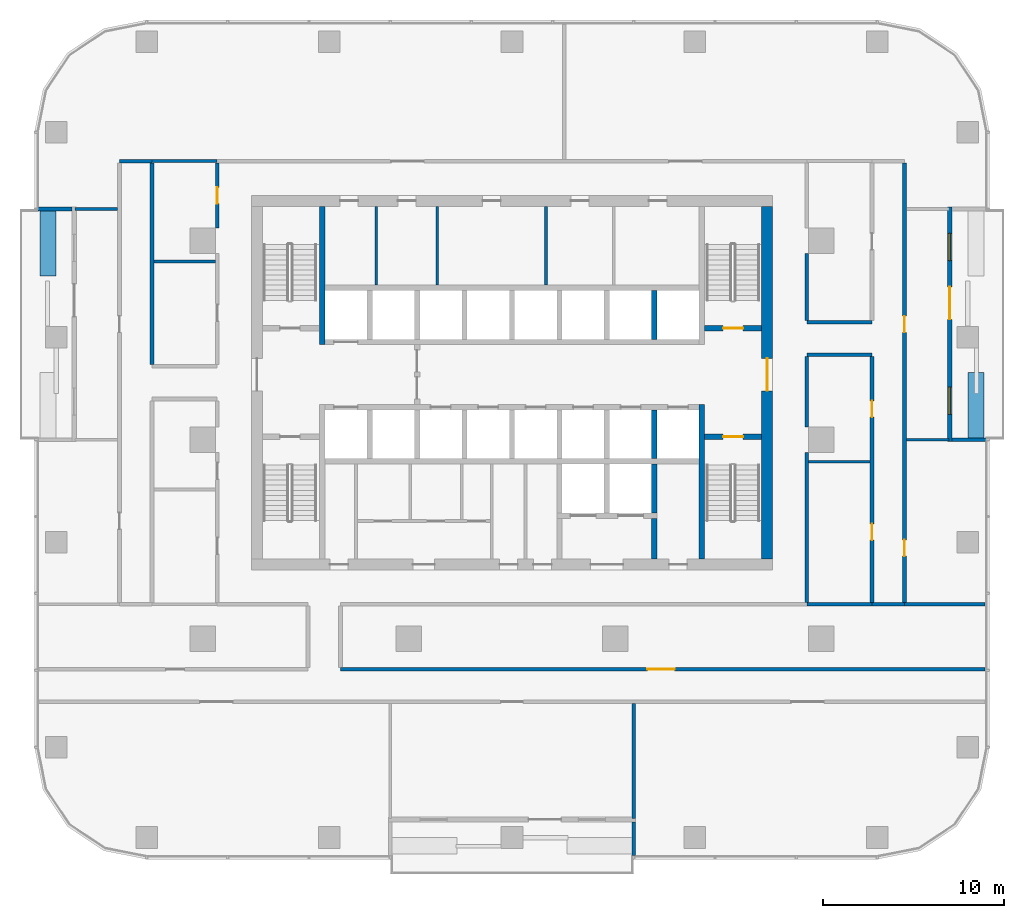
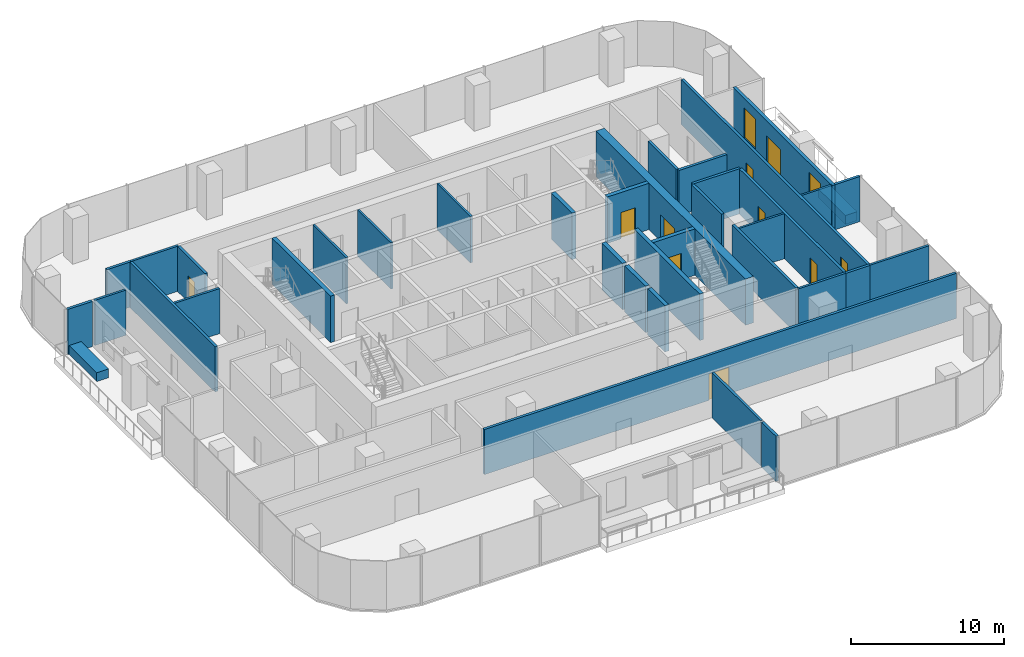
# One storey, part 9 of 14: 38 walls, 10 doors, 2 windows, 12 openings.
"""IFC4 building model written with IfcOpenShell, lengths in metres."""

import ifcopenshell
import ifcopenshell.guid

model = None  # the IFC model being written
_history = None  # IfcOwnerHistory: only IFC2X3 demands one
_inside = {}  # id of a spatial element -> (the spatial element, [elements in it])
_under = {}  # id of a project, library or spatial element -> (it, [spatial elements below it])
_declared = {}  # id of a project -> (the project, [libraries it declares])
_typed = {}  # id of a type object -> (the type object, [elements of that type])
_made_of = {}  # id of a material, layer set ... -> (it, [elements and type objects made of it])


def new_model(schema):
    """Start an empty IFC model of exactly this schema.

    Asked for "IFC4X3", IfcOpenShell would pick the latest addendum, in which some entities
    have other attributes; the version numbers below select the first issue.
    IFC2X3 requires an IfcOwnerHistory on every rooted entity: one is made here for all.
    """
    global model, _history
    if schema == "IFC4X3":
        model = ifcopenshell.file(schema_version=(4, 3, 0, 0))
    else:
        model = ifcopenshell.file(schema=schema)
    _inside.clear()
    _under.clear()
    _declared.clear()
    _typed.clear()
    _made_of.clear()
    _history = None
    if model.schema == "IFC2X3":
        org = make("IfcOrganization", Name="unknown")
        user = make(
            "IfcPersonAndOrganization",
            ThePerson=make("IfcPerson", FamilyName="unknown"),
            TheOrganization=org,
        )
        app = make(
            "IfcApplication",
            ApplicationDeveloper=org,
            Version="unknown",
            ApplicationFullName="unknown",
            ApplicationIdentifier="unknown",
        )
        _history = make(
            "IfcOwnerHistory",
            OwningUser=user,
            OwningApplication=app,
            ChangeAction="ADDED",
            CreationDate=0,
        )
    return model


def make(cls, **values):
    """One entity of the class cls with the attributes given. An attribute that is None is left unset."""
    return model.create_entity(
        cls, **{name: value for name, value in values.items() if value is not None}
    )


def rooted(cls, **values):
    """An entity with a GlobalId (a new one), such as an element, a storey or a relation."""
    return make(cls, GlobalId=ifcopenshell.guid.new(), OwnerHistory=_history, **values)


def si_unit(unit_type, name, prefix=None):
    """IfcSIUnit, for example si_unit("LENGTHUNIT", "METRE", prefix="MILLI")."""
    return make("IfcSIUnit", UnitType=unit_type, Prefix=prefix, Name=name)


def assignment(units):
    """IfcUnitAssignment: the units of a project."""
    return None if units is None else make("IfcUnitAssignment", Units=units)


def point(xyz):
    """IfcCartesianPoint."""
    return None if xyz is None else make("IfcCartesianPoint", Coordinates=xyz)


def direction(xyz):
    """IfcDirection."""
    return None if xyz is None else make("IfcDirection", DirectionRatios=xyz)


def frame(location, z_axis=None, x_axis=None):
    """IfcAxis2Placement3D, a coordinate frame: its origin and axes. An axis left out is left unset."""
    return make(
        "IfcAxis2Placement3D",
        Location=point(location),
        Axis=direction(z_axis),
        RefDirection=direction(x_axis),
    )


def frame_2d(location, x_axis=None):
    """IfcAxis2Placement2D, a coordinate frame in the plane: its origin and x axis."""
    return make(
        "IfcAxis2Placement2D", Location=point(location), RefDirection=direction(x_axis)
    )


def origin():
    """The frame at (0, 0, 0) with its axes left unset."""
    return frame((0.0, 0.0, 0.0))


def place(relative_to, where):
    """IfcLocalPlacement: puts the frame where relative to a parent placement (None: the world)."""
    return make(
        "IfcLocalPlacement", PlacementRelTo=relative_to, RelativePlacement=where
    )


def context(
    kind, dimensions, precision=None, world=None, true_north=None, identifier=None
):
    """IfcGeometricRepresentationContext, for example the 3D "Model" context."""
    return make(
        "IfcGeometricRepresentationContext",
        ContextIdentifier=identifier,
        ContextType=kind,
        CoordinateSpaceDimension=dimensions,
        Precision=precision,
        WorldCoordinateSystem=world,
        TrueNorth=true_north,
    )


def subcontext(parent, identifier, kind, view, scale=None):
    """IfcGeometricRepresentationSubContext, for example "Body" below "Model"."""
    return make(
        "IfcGeometricRepresentationSubContext",
        ContextIdentifier=identifier,
        ContextType=kind,
        ParentContext=parent,
        TargetScale=scale,
        TargetView=view,
    )


def project(units=None, contexts=None):
    """IfcProject with its units and contexts."""
    return rooted(
        "IfcProject",
        Name="project",
        RepresentationContexts=contexts,
        UnitsInContext=assignment(units),
    )


def spatial(cls, under=None, at=None, **own):
    """A site, building, storey or space (cls), placed at a placement, below another one or the project."""
    s = rooted(cls, ObjectPlacement=at, **own)
    if under is not None:
        _under.setdefault(under.id(), (under, []))[1].append(s)
    return s


def profile(cls, at=None, kind="AREA", **sizes):
    """A parametric profile (cls). Its sizes go by their IFC names, for example OverallWidth=200.0."""
    return make(cls, ProfileType=kind, Position=at, **sizes)


def rectangle(**sizes):
    """IfcRectangleProfileDef."""
    return profile("IfcRectangleProfileDef", **sizes)


def extrude(swept, where, along, depth):
    """IfcExtrudedAreaSolid: the profile swept, set in the frame where, extruded along a direction by depth."""
    return make(
        "IfcExtrudedAreaSolid",
        SweptArea=swept,
        Position=where,
        ExtrudedDirection=direction(along),
        Depth=depth,
    )


def shape(context_of_items, identifier, shape_type, items):
    """IfcShapeRepresentation: the items that make up one representation, for example the "Body"."""
    return make(
        "IfcShapeRepresentation",
        ContextOfItems=context_of_items,
        RepresentationIdentifier=identifier,
        RepresentationType=shape_type,
        Items=items,
    )


def material(Name=None, Category=None):
    """IfcMaterial."""
    return make("IfcMaterial", Name=Name, Category=Category)


def layer(
    of_material, thickness, ventilated=None, Name=None, Category=None, Priority=None
):
    """IfcMaterialLayer: one layer of a wall or slab, of a material (None: an air gap)."""
    return make(
        "IfcMaterialLayer",
        Material=of_material,
        LayerThickness=thickness,
        IsVentilated=ventilated,
        Name=Name,
        Category=Category,
        Priority=Priority,
    )


def layer_set(layers, Name=None):
    """IfcMaterialLayerSet."""
    return make("IfcMaterialLayerSet", MaterialLayers=layers, LayerSetName=Name)


def made_of(thing, what):
    """Note that an element or type object is made of a material, layer set ...; save() writes the relation."""
    if what is not None:
        _made_of.setdefault(what.id(), (what, []))[1].append(thing)
    return thing


def type_object(cls, material=None, **own):
    """A type object (cls), such as IfcWallType, which elements share."""
    return made_of(rooted(cls, **own), material)


def element(
    cls,
    number,
    at=None,
    inside=None,
    cuts=None,
    type_object=None,
    material=None,
    context=None,
    identifier="Body",
    shape_type=None,
    held_by="IfcProductDefinitionShape",
    body=None,
    shapes=None,
    **own,
):
    """One element of the class cls, such as IfcWall. Its Tag is "e" and its number.

    at: its placement. inside: the storey or other place that contains it. cuts: it is an
    opening in that element (IfcRelVoidsElement). A single representation is given by context,
    identifier, shape_type and body (its items); several are given by shapes. held_by: the class
    of the entity that holds the representations. save() writes the other relations.
    """
    e = rooted(cls, Tag="e%d" % number, ObjectPlacement=at, **own)
    if body is not None:
        shapes = [shape(context, identifier, shape_type, body)]
    if shapes is not None:
        e.Representation = make(held_by, Representations=shapes)
    if inside is not None:
        _inside.setdefault(inside.id(), (inside, []))[1].append(e)
    if cuts is not None:
        rooted(
            "IfcRelVoidsElement", RelatingBuildingElement=cuts, RelatedOpeningElement=e
        )
    if type_object is not None:
        _typed.setdefault(type_object.id(), (type_object, []))[1].append(e)
    return made_of(e, material)


def fill(opening, filler):
    """IfcRelFillsElement: the door or window that sits in an opening."""
    return rooted(
        "IfcRelFillsElement",
        RelatingOpeningElement=opening,
        RelatedBuildingElement=filler,
    )


def aggregate(whole, parts):
    """IfcRelAggregates: a whole, such as a stair, and the parts it consists of."""
    return rooted("IfcRelAggregates", RelatingObject=whole, RelatedObjects=parts)


def save(model, path):
    """Write the relations noted so far, then the file.

    IfcRelAggregates (storeys below a building ...), IfcRelContainedInSpatialStructure (elements
    in a storey), IfcRelDefinesByType, IfcRelAssociatesMaterial and IfcRelDeclares: one each for
    every whole, place, type object, material and project.
    """
    for whole, parts in _under.values():
        aggregate(whole, parts)
    for where, things in _inside.values():
        rooted(
            "IfcRelContainedInSpatialStructure",
            RelatedElements=things,
            RelatingStructure=where,
        )
    for kind, things in _typed.values():
        rooted("IfcRelDefinesByType", RelatedObjects=things, RelatingType=kind)
    for what, things in _made_of.values():
        rooted("IfcRelAssociatesMaterial", RelatedObjects=things, RelatingMaterial=what)
    for by, libraries in _declared.values():
        rooted("IfcRelDeclares", RelatingContext=by, RelatedDefinitions=libraries)
    model.write(path)


model = new_model("IFC4")

# Units and contexts
model_context = context("Model", 3, precision=1e-05, world=origin(), true_north=direction((0.0, 1.0)))
body_context = subcontext(model_context, "Body", "Model", "MODEL_VIEW")
ifc_project = project(units=[si_unit("LENGTHUNIT", "METRE"), si_unit("AREAUNIT", "SQUARE_METRE"), si_unit("VOLUMEUNIT", "CUBIC_METRE"), si_unit("PLANEANGLEUNIT", "RADIAN"), si_unit("MASSUNIT", "GRAM", prefix="KILO")], contexts=[model_context])

# Site, building, storey
site_placement = place(None, origin())
site = spatial("IfcSite", under=ifc_project, at=site_placement, CompositionType="ELEMENT")
building_placement = place(site_placement, origin())
building = spatial("IfcBuilding", under=site, at=building_placement, Name="Mopane Tessera Tower", CompositionType="ELEMENT")
storey_placement = place(building_placement, frame((0.0, 0.0, 161.0)))
storey = spatial("IfcBuildingStorey", under=building, at=storey_placement, Name="L32", CompositionType="ELEMENT", Elevation=161.0)

# Walls
ifc_material_1 = material(Name="Fire-rated gypsum board partition")
ifc_layer_1 = layer(ifc_material_1, 0.14990234375)
ifc_layer_set_1 = layer_set([ifc_layer_1], Name="Fire-rated gypsum board partition")
wall_type_1 = type_object("IfcWallType", Name="Core room partition 150 mm", PredefinedType="PARTITIONING", material=ifc_layer_set_1)
for number, where, z_axis, x_axis, name in (
    (1, (-7.5, 8.550048828125, 0.0), (0.0, 0.0, 1.0), (0.0, 1.0, 0.0), "L32 Room partition"),
    (2, (-4.125, 8.550048828125, 0.0), (0.0, 0.0, 1.0), (0.0, 1.0, 0.0), "L32 Room partition"),
    (3, (1.875, 8.550048828125, 0.0), (0.0, 0.0, 1.0), (0.0, 1.0, 0.0), "L32 Room partition"),
):
    element("IfcWall", number, at=place(storey_placement, frame(where, z_axis=z_axis, x_axis=x_axis)), inside=storey, type_object=wall_type_1, Name=name, PredefinedType="PARTITIONING", context=body_context, shape_type="SweptSolid", body=[
        extrude(rectangle(XDim=4.349853515625, YDim=0.14990234375, at=frame_2d((2.1748046875, 0.0))), origin(), (0.0, 0.0, 1.0), 3.699951171875),
    ])

# Wall, opening, door
ifc_material_2 = material(Name="Concrete C70/85", Category="concrete")
ifc_layer_2 = layer(ifc_material_2, 0.60009765625)
ifc_layer_set_2 = layer_set([ifc_layer_2], Name="Concrete C70/85")
wall_type_2 = type_object("IfcWallType", Name="Core shear wall 600 mm", PredefinedType="SHEAR", material=ifc_layer_set_2)
wall_1_placement = place(storey_placement, frame((14.10009765625, -6.60009765625, 0.0), z_axis=(0.0, 0.0, 1.0), x_axis=(0.0, 1.0, 0.0)))
wall_1 = element("IfcWall", 4, at=wall_1_placement, inside=storey, type_object=wall_type_2, Name="L32 Core wall east", PredefinedType="SHEAR", context=body_context, shape_type="SweptSolid", body=[
    extrude(rectangle(XDim=19.5, YDim=0.60009765625, at=frame_2d((9.75, 0.0))), origin(), (0.0, 0.0, 1.0), 3.699951171875),
])
opening_1_placement = place(wall_1_placement, frame((9.300048828125, 0.0, 0.0)))
opening_1 = element("IfcOpeningElement", 5, at=opening_1_placement, cuts=wall_1, Name="Opening SD2", PredefinedType="OPENING", context=body_context, shape_type="SweptSolid", body=[
    extrude(rectangle(XDim=1.800048828125, YDim=2.10009765625, at=frame_2d((0.89990234375, 1.050048828125))), frame((0.0, 0.31201171875, 0.0), z_axis=(0.0, -1.0, 0.0), x_axis=(1.0, 0.0, 0.0)), (0.0, 0.0, 1.0), 0.6240234375),
])
ifc_material_3 = material(Name="Steel fire door", Category="steel")
door_type_1 = type_object("IfcDoorType", Name="Core entrance double door 1800 x 2100", OperationType="DOUBLE_DOOR_SINGLE_SWING", PredefinedType="DOOR", material=ifc_material_3)
door_1_placement = place(opening_1_placement, origin())
door_1 = element("IfcDoor", 6, at=door_1_placement, inside=storey, type_object=door_type_1, Name="L32 Core entrance door east", OperationType="DOUBLE_DOOR_SINGLE_SWING", OverallHeight=2.10009765625, OverallWidth=1.800048828125, PredefinedType="DOOR", context=body_context, shape_type="SweptSolid", body=[
    extrude(rectangle(XDim=1.800048828125, YDim=2.10009765625, at=frame_2d((0.89990234375, 1.050048828125))), frame((0.0, 0.02490234375, 0.0), z_axis=(0.0, -1.0, 0.0), x_axis=(1.0, 0.0, 0.0)), (0.0, 0.0, 1.0), 0.050048828125),
])
fill(opening_1, door_1)

# Walls
ifc_material_4 = material(Name="Concrete C60/75", Category="concrete")
ifc_layer_3 = layer(ifc_material_4, 0.300048828125)
ifc_layer_set_3 = layer_set([ifc_layer_3], Name="Concrete C60/75")
wall_type_3 = type_object("IfcWallType", Name="Core spine wall 300 mm", PredefinedType="SHEAR", material=ifc_layer_set_3)
wall_2_placement = place(storey_placement, frame((-10.5, 5.25, 0.0), z_axis=(0.0, 0.0, 1.0), x_axis=(0.0, 1.0, 0.0)))
element("IfcWall", 7, at=wall_2_placement, inside=storey, type_object=wall_type_3, Name="L32 Core spine wall", PredefinedType="SHEAR", context=body_context, shape_type="SweptSolid", body=[
    extrude(rectangle(XDim=7.64990234375, YDim=0.300048828125, at=frame_2d((3.824951171875, 0.0))), origin(), (0.0, 0.0, 1.0), 3.699951171875),
])
wall_3_placement = place(storey_placement, frame((10.5, -6.60009765625, 0.0), z_axis=(0.0, 0.0, 1.0), x_axis=(0.0, 1.0, 0.0)))
element("IfcWall", 8, at=wall_3_placement, inside=storey, type_object=wall_type_3, Name="L32 Core spine wall", PredefinedType="SHEAR", context=body_context, shape_type="SweptSolid", body=[
    extrude(rectangle(XDim=8.550048828125, YDim=0.300048828125, at=frame_2d((4.27490234375, 0.0))), origin(), (0.0, 0.0, 1.0), 3.699951171875),
])
ifc_material_5 = material(Name="Gypsum board on staggered steel studs, double layer each face, acoustic mineral wool infill", Category="steel")
ifc_layer_4 = layer(ifc_material_5, 0.175048828125)
ifc_layer_set_4 = layer_set([ifc_layer_4], Name="Gypsum board on staggered steel studs, double layer each face, acoustic mineral wool infill")
wall_type_4 = type_object("IfcWallType", Name="Gypsum board acoustic partition 175, rated EI 60", PredefinedType="PARTITIONING", material=ifc_layer_set_4)
wall_4_placement = place(storey_placement, frame((16.300048828125, -9.10009765625, 0.0), z_axis=(0.0, 0.0, 1.0), x_axis=(1.0, 0.0, 0.0)))
element("IfcWall", 9, at=wall_4_placement, inside=storey, type_object=wall_type_4, Name="Partition L32:005", PredefinedType="PARTITIONING", context=body_context, shape_type="SweptSolid", body=[
    extrude(rectangle(XDim=3.599853515625, YDim=0.175048828125, at=frame_2d((1.7998046875, 0.0))), origin(), (0.0, 0.0, 1.0), 3.60009765625),
])
wall_5_placement = place(storey_placement, frame((21.699951171875, -9.10009765625, 0.0), z_axis=(0.0, 0.0, 1.0), x_axis=(1.0, 0.0, 0.0)))
element("IfcWall", 10, at=wall_5_placement, inside=storey, type_object=wall_type_4, Name="Partition L32:006", PredefinedType="PARTITIONING", context=body_context, shape_type="SweptSolid", body=[
    extrude(rectangle(XDim=4.449951171875, YDim=0.175048828125, at=frame_2d((2.22509765625, 0.0))), origin(), (0.0, 0.0, 1.0), 3.60009765625),
])
wall_6_placement = place(storey_placement, frame((-19.800048828125, 9.85498046875, 0.0), z_axis=(0.0, 0.0, 1.0), x_axis=(1.0, 0.0, 0.0)))
element("IfcWall", 11, at=wall_6_placement, inside=storey, type_object=wall_type_4, Name="Partition L32:019", PredefinedType="PARTITIONING", context=body_context, shape_type="SweptSolid", body=[
    extrude(rectangle(XDim=3.400146484375, YDim=0.175048828125, at=frame_2d((1.7001953125, 0.0))), origin(), (0.0, 0.0, 1.0), 3.60009765625),
])
wall_7_placement = place(storey_placement, frame((-24.14990234375, 12.75, 0.0), z_axis=(0.0, 0.0, 1.0), x_axis=(1.0, 0.0, 0.0)))
element("IfcWall", 12, at=wall_7_placement, inside=storey, type_object=wall_type_4, Name="Partition L32:021", PredefinedType="PARTITIONING", context=body_context, shape_type="SweptSolid", body=[
    extrude(rectangle(XDim=2.349853515625, YDim=0.175048828125, at=frame_2d((1.1748046875, 0.0))), origin(), (0.0, 0.0, 1.0), 3.60009765625),
])
wall_8_placement = place(storey_placement, frame((-19.89990234375, 15.39990234375, 0.0), z_axis=(0.0, 0.0, 1.0), x_axis=(1.0, 0.0, 0.0)))
element("IfcWall", 13, at=wall_8_placement, inside=storey, type_object=wall_type_4, Name="Partition L32:023", PredefinedType="PARTITIONING", context=body_context, shape_type="SweptSolid", body=[
    extrude(rectangle(XDim=3.599853515625, YDim=0.175048828125, at=frame_2d((1.7998046875, 0.0))), origin(), (0.0, 0.0, 1.0), 3.60009765625),
])
wall_9_placement = place(storey_placement, frame((6.735107421875, -20.949951171875, 0.0), z_axis=(0.0, 0.0, 1.0), x_axis=(0.0, 1.0, 0.0)))
element("IfcWall", 14, at=wall_9_placement, inside=storey, type_object=wall_type_4, Name="Partition L32:038", PredefinedType="PARTITIONING", context=body_context, shape_type="SweptSolid", body=[
    extrude(rectangle(XDim=6.349853515625, YDim=0.175048828125, at=frame_2d((3.1748046875, 0.0))), origin(), (0.0, 0.0, 1.0), 3.60009765625),
])

# Wall, opening, door
ifc_material_6 = material(Name="Gypsum board on steel studs, two layers each face, mineral wool infill", Category="steel")
ifc_layer_5 = layer(ifc_material_6, 0.199951171875)
ifc_layer_set_5 = layer_set([ifc_layer_5], Name="Gypsum board on steel studs, two layers each face, mineral wool infill")
wall_type_5 = type_object("IfcWallType", Name="Gypsum board corridor wall 200, rated EI 60", PredefinedType="PARTITIONING", material=ifc_layer_set_5)
wall_10_placement = place(storey_placement, frame((-9.47998046875, -12.699951171875, 0.0), z_axis=(0.0, 0.0, 1.0), x_axis=(1.0, 0.0, 0.0)))
wall_10 = element("IfcWall", 15, at=wall_10_placement, inside=storey, type_object=wall_type_5, Name="Partition L32:002", PredefinedType="PARTITIONING", context=body_context, shape_type="SweptSolid", body=[
    extrude(rectangle(XDim=35.6298828125, YDim=0.199951171875, at=frame_2d((17.81494140625, 0.0))), origin(), (0.0, 0.0, 1.0), 3.60009765625),
])
opening_2_placement = place(wall_10_placement, frame((16.965087890625, 0.0, 0.0)))
opening_2 = element("IfcOpeningElement", 16, at=opening_2_placement, cuts=wall_10, Name="Opening L32-05", PredefinedType="OPENING", context=body_context, shape_type="SweptSolid", body=[
    extrude(rectangle(XDim=1.5, YDim=2.10009765625, at=frame_2d((0.75, 1.050048828125))), frame((0.0, 0.112060546875, 0.0), z_axis=(0.0, -1.0, 0.0), x_axis=(1.0, 0.0, 0.0)), (0.0, 0.0, 1.0), 0.223876953125),
])
ifc_material_7 = material(Name="Timber veneered steel-framed fire door", Category="steel")
door_type_2 = type_object("IfcDoorType", Name="Fire door pair FD60 1500 x 2100", OperationType="DOUBLE_DOOR_SINGLE_SWING", PredefinedType="DOOR", material=ifc_material_7)
door_2_placement = place(opening_2_placement, origin())
door_2 = element("IfcDoor", 17, at=door_2_placement, inside=storey, type_object=door_type_2, Name="Door L32-05", ObjectType="D17A", OperationType="DOUBLE_DOOR_SINGLE_SWING", OverallHeight=2.10009765625, OverallWidth=1.5, PredefinedType="DOOR", context=body_context, shape_type="SweptSolid", body=[
    extrude(rectangle(XDim=1.5, YDim=2.10009765625, at=frame_2d((0.75, 1.050048828125))), frame((0.0, 0.02490234375, 0.0), z_axis=(0.0, -1.0, 0.0), x_axis=(1.0, 0.0, 0.0)), (0.0, 0.0, 1.0), 0.050048828125),
])
fill(opening_2, door_2)

# Walls
wall_11_placement = place(storey_placement, frame((19.89990234375, -9.10009765625, 0.0), z_axis=(0.0, 0.0, 1.0), x_axis=(1.0, 0.0, 0.0)))
element("IfcWall", 18, at=wall_11_placement, inside=storey, type_object=wall_type_5, Name="Partition L32:010", PredefinedType="PARTITIONING", context=body_context, shape_type="SweptSolid", body=[
    extrude(rectangle(XDim=1.800048828125, YDim=0.199951171875, at=frame_2d((0.89990234375, 0.0))), origin(), (0.0, 0.0, 1.0), 3.60009765625),
])
for number, where, z_axis, x_axis, name in (
    (19, (16.300048828125, 4.699951171875, 0.0), (0.0, 0.0, 1.0), (1.0, 0.0, 0.0), "Partition L32:017"),
    (20, (16.300048828125, 6.5, 0.0), (0.0, 0.0, 1.0), (1.0, 0.0, 0.0), "Partition L32:018"),
):
    element("IfcWall", number, at=place(storey_placement, frame(where, z_axis=z_axis, x_axis=x_axis)), inside=storey, type_object=wall_type_5, Name=name, PredefinedType="PARTITIONING", context=body_context, shape_type="SweptSolid", body=[
        extrude(rectangle(XDim=3.599853515625, YDim=0.199951171875, at=frame_2d((1.7998046875, 0.0))), origin(), (0.0, 0.0, 1.0), 3.60009765625),
    ])
wall_12_placement = place(storey_placement, frame((-21.699951171875, 15.39990234375, 0.0), z_axis=(0.0, 0.0, 1.0), x_axis=(1.0, 0.0, 0.0)))
element("IfcWall", 21, at=wall_12_placement, inside=storey, type_object=wall_type_5, Name="Partition L32:024", PredefinedType="PARTITIONING", context=body_context, shape_type="SweptSolid", body=[
    extrude(rectangle(XDim=1.800048828125, YDim=0.199951171875, at=frame_2d((0.89990234375, 0.0))), origin(), (0.0, 0.0, 1.0), 3.60009765625),
])
wall_13_placement = place(storey_placement, frame((-19.89990234375, 4.14990234375, 0.0), z_axis=(0.0, 0.0, 1.0), x_axis=(0.0, 1.0, 0.0)))
element("IfcWall", 22, at=wall_13_placement, inside=storey, type_object=wall_type_5, Name="Partition L32:029", PredefinedType="PARTITIONING", context=body_context, shape_type="SweptSolid", body=[
    extrude(rectangle(XDim=11.150146484375, YDim=0.199951171875, at=frame_2d((5.5751953125, 0.0))), origin(), (0.0, 0.0, 1.0), 3.60009765625),
])

# Wall, opening, door
wall_14_placement = place(storey_placement, frame((-16.300048828125, 11.699951171875, 0.0), z_axis=(0.0, 0.0, 1.0), x_axis=(0.0, 1.0, 0.0)))
wall_14 = element("IfcWall", 23, at=wall_14_placement, inside=storey, type_object=wall_type_5, Name="Partition L32:033", PredefinedType="PARTITIONING", context=body_context, shape_type="SweptSolid", body=[
    extrude(rectangle(XDim=3.60009765625, YDim=0.199951171875, at=frame_2d((1.800048828125, 0.0))), origin(), (0.0, 0.0, 1.0), 3.60009765625),
])
opening_3_placement = place(wall_14_placement, frame((1.35009765625, 0.0, 0.0)))
opening_3 = element("IfcOpeningElement", 24, at=opening_3_placement, cuts=wall_14, Name="Opening L32-11", PredefinedType="OPENING", context=body_context, shape_type="SweptSolid", body=[
    extrude(rectangle(XDim=0.89990234375, YDim=2.10009765625, at=frame_2d((0.449951171875, 1.050048828125))), frame((0.0, 0.112060546875, 0.0), z_axis=(0.0, -1.0, 0.0), x_axis=(1.0, 0.0, 0.0)), (0.0, 0.0, 1.0), 0.223876953125),
])
ifc_material_8 = material(Name="Timber veneered steel-framed fire door", Category="steel")
door_type_3 = type_object("IfcDoorType", Name="Fire door FD60 900 x 2100", OperationType="SINGLE_SWING_LEFT", PredefinedType="DOOR", material=ifc_material_8)
door_3_placement = place(opening_3_placement, origin())
door_3 = element("IfcDoor", 25, at=door_3_placement, inside=storey, type_object=door_type_3, Name="Door L32-11", ObjectType="D10A", OperationType="SINGLE_SWING_RIGHT", OverallHeight=2.10009765625, OverallWidth=0.89990234375, PredefinedType="DOOR", context=body_context, shape_type="SweptSolid", body=[
    extrude(rectangle(XDim=0.89990234375, YDim=2.10009765625, at=frame_2d((0.449951171875, 1.050048828125))), frame((0.0, 0.02490234375, 0.0), z_axis=(0.0, -1.0, 0.0), x_axis=(1.0, 0.0, 0.0)), (0.0, 0.0, 1.0), 0.050048828125),
])
fill(opening_3, door_3)

# Walls
wall_15_placement = place(storey_placement, frame((16.300048828125, -9.0, 0.0), z_axis=(0.0, 0.0, 1.0), x_axis=(0.0, 1.0, 0.0)))
element("IfcWall", 26, at=wall_15_placement, inside=storey, type_object=wall_type_5, Name="Partition L32:039", PredefinedType="PARTITIONING", context=body_context, shape_type="SweptSolid", body=[
    extrude(rectangle(XDim=8.300048828125, YDim=0.199951171875, at=frame_2d((4.14990234375, 0.0))), origin(), (0.0, 0.0, 1.0), 3.60009765625),
])
wall_16_placement = place(storey_placement, frame((16.300048828125, 0.699951171875, 0.0), z_axis=(0.0, 0.0, 1.0), x_axis=(0.0, 1.0, 0.0)))
element("IfcWall", 27, at=wall_16_placement, inside=storey, type_object=wall_type_5, Name="Partition L32:040", PredefinedType="PARTITIONING", context=body_context, shape_type="SweptSolid", body=[
    extrude(rectangle(XDim=3.900146484375, YDim=0.199951171875, at=frame_2d((1.9501953125, 0.0))), origin(), (0.0, 0.0, 1.0), 3.60009765625),
])
wall_17_placement = place(storey_placement, frame((16.300048828125, 6.60009765625, 0.0), z_axis=(0.0, 0.0, 1.0), x_axis=(0.0, 1.0, 0.0)))
element("IfcWall", 28, at=wall_17_placement, inside=storey, type_object=wall_type_5, Name="Partition L32:041", PredefinedType="PARTITIONING", context=body_context, shape_type="SweptSolid", body=[
    extrude(rectangle(XDim=3.699951171875, YDim=0.199951171875, at=frame_2d((1.85009765625, 0.0))), origin(), (0.0, 0.0, 1.0), 3.60009765625),
])

# Wall, openings, doors
wall_18_placement = place(storey_placement, frame((19.89990234375, -9.0, 0.0), z_axis=(0.0, 0.0, 1.0), x_axis=(0.0, 1.0, 0.0)))
wall_18 = element("IfcWall", 29, at=wall_18_placement, inside=storey, type_object=wall_type_5, Name="Partition L32:043", PredefinedType="PARTITIONING", context=body_context, shape_type="SweptSolid", body=[
    extrude(rectangle(XDim=13.60009765625, YDim=0.199951171875, at=frame_2d((6.800048828125, 0.0))), origin(), (0.0, 0.0, 1.0), 3.60009765625),
])
opening_4_placement = place(wall_18_placement, frame((3.4423828125, 0.0, 0.0)))
opening_4 = element("IfcOpeningElement", 30, at=opening_4_placement, cuts=wall_18, Name="Opening L32-08", PredefinedType="OPENING", context=body_context, shape_type="SweptSolid", body=[
    extrude(rectangle(XDim=0.89990234375, YDim=2.10009765625, at=frame_2d((0.449951171875, 1.050048828125))), frame((0.0, 0.112060546875, 0.0), z_axis=(0.0, -1.0, 0.0), x_axis=(1.0, 0.0, 0.0)), (0.0, 0.0, 1.0), 0.223876953125),
])
opening_5_placement = place(wall_18_placement, frame((10.242431640625, 0.0, 0.0)))
opening_5 = element("IfcOpeningElement", 31, at=opening_5_placement, cuts=wall_18, Name="Opening L32-14", PredefinedType="OPENING", context=body_context, shape_type="SweptSolid", body=[
    extrude(rectangle(XDim=0.89990234375, YDim=2.10009765625, at=frame_2d((0.449951171875, 1.050048828125))), frame((0.0, 0.112060546875, 0.0), z_axis=(0.0, -1.0, 0.0), x_axis=(1.0, 0.0, 0.0)), (0.0, 0.0, 1.0), 0.223876953125),
])
door_4_placement = place(opening_4_placement, origin())
door_4 = element("IfcDoor", 32, at=door_4_placement, inside=storey, type_object=door_type_3, Name="Door L32-08", ObjectType="D10A", OperationType="SINGLE_SWING_LEFT", OverallHeight=2.10009765625, OverallWidth=0.89990234375, PredefinedType="DOOR", context=body_context, shape_type="SweptSolid", body=[
    extrude(rectangle(XDim=0.89990234375, YDim=2.10009765625, at=frame_2d((0.449951171875, 1.050048828125))), frame((0.0, 0.02490234375, 0.0), z_axis=(0.0, -1.0, 0.0), x_axis=(1.0, 0.0, 0.0)), (0.0, 0.0, 1.0), 0.050048828125),
])
fill(opening_4, door_4)
door_5_placement = place(opening_5_placement, origin())
door_5 = element("IfcDoor", 33, at=door_5_placement, inside=storey, type_object=door_type_3, Name="Door L32-14", ObjectType="D10A", OperationType="SINGLE_SWING_LEFT", OverallHeight=2.10009765625, OverallWidth=0.89990234375, PredefinedType="DOOR", context=body_context, shape_type="SweptSolid", body=[
    extrude(rectangle(XDim=0.89990234375, YDim=2.10009765625, at=frame_2d((0.449951171875, 1.050048828125))), frame((0.0, 0.02490234375, 0.0), z_axis=(0.0, -1.0, 0.0), x_axis=(1.0, 0.0, 0.0)), (0.0, 0.0, 1.0), 0.050048828125),
])
fill(opening_5, door_5)

wall_19_placement = place(storey_placement, frame((21.699951171875, -9.0, 0.0), z_axis=(0.0, 0.0, 1.0), x_axis=(0.0, 1.0, 0.0)))
wall_19 = element("IfcWall", 34, at=wall_19_placement, inside=storey, type_object=wall_type_5, Name="Partition L32:045", PredefinedType="PARTITIONING", context=body_context, shape_type="SweptSolid", body=[
    extrude(rectangle(XDim=24.300048828125, YDim=0.199951171875, at=frame_2d((12.14990234375, 0.0))), origin(), (0.0, 0.0, 1.0), 3.60009765625),
])
opening_6_placement = place(wall_19_placement, frame((14.925048828125, 0.0, 0.0)))
opening_6 = element("IfcOpeningElement", 35, at=opening_6_placement, cuts=wall_19, Name="Opening L32-03", PredefinedType="OPENING", context=body_context, shape_type="SweptSolid", body=[
    extrude(rectangle(XDim=0.89990234375, YDim=2.10009765625, at=frame_2d((0.449951171875, 1.050048828125))), frame((0.0, 0.112060546875, 0.0), z_axis=(0.0, -1.0, 0.0), x_axis=(1.0, 0.0, 0.0)), (0.0, 0.0, 1.0), 0.223876953125),
])
opening_7_placement = place(wall_19_placement, frame((2.5625, 0.0, 0.0)))
opening_7 = element("IfcOpeningElement", 36, at=opening_7_placement, cuts=wall_19, Name="Opening L32-16", PredefinedType="OPENING", context=body_context, shape_type="SweptSolid", body=[
    extrude(rectangle(XDim=0.89990234375, YDim=2.10009765625, at=frame_2d((0.449951171875, 1.050048828125))), frame((0.0, 0.112060546875, 0.0), z_axis=(0.0, -1.0, 0.0), x_axis=(1.0, 0.0, 0.0)), (0.0, 0.0, 1.0), 0.223876953125),
])
door_6_placement = place(opening_6_placement, origin())
door_6 = element("IfcDoor", 37, at=door_6_placement, inside=storey, type_object=door_type_3, Name="Door L32-03", ObjectType="D10A", OperationType="SINGLE_SWING_LEFT", OverallHeight=2.10009765625, OverallWidth=0.89990234375, PredefinedType="DOOR", context=body_context, shape_type="SweptSolid", body=[
    extrude(rectangle(XDim=0.89990234375, YDim=2.10009765625, at=frame_2d((0.449951171875, 1.050048828125))), frame((0.0, 0.02490234375, 0.0), z_axis=(0.0, -1.0, 0.0), x_axis=(1.0, 0.0, 0.0)), (0.0, 0.0, 1.0), 0.050048828125),
])
fill(opening_6, door_6)
door_7_placement = place(opening_7_placement, origin())
door_7 = element("IfcDoor", 38, at=door_7_placement, inside=storey, type_object=door_type_3, Name="Door L32-16", ObjectType="D10A", OperationType="SINGLE_SWING_RIGHT", OverallHeight=2.10009765625, OverallWidth=0.89990234375, PredefinedType="DOOR", context=body_context, shape_type="SweptSolid", body=[
    extrude(rectangle(XDim=0.89990234375, YDim=2.10009765625, at=frame_2d((0.449951171875, 1.050048828125))), frame((0.0, 0.02490234375, 0.0), z_axis=(0.0, -1.0, 0.0), x_axis=(1.0, 0.0, 0.0)), (0.0, 0.0, 1.0), 0.050048828125),
])
fill(opening_7, door_7)

# Walls
ifc_material_9 = material(Name="Gypsum board on steel studs, mineral wool infill", Category="steel")
ifc_layer_6 = layer(ifc_material_9, 0.14990234375)
ifc_layer_set_6 = layer_set([ifc_layer_6], Name="Gypsum board on steel studs, mineral wool infill")
wall_type_6 = type_object("IfcWallType", Name="Gypsum board partition 150, rated EI 60", PredefinedType="PARTITIONING", material=ifc_layer_set_6)
wall_20_placement = place(storey_placement, frame((16.39990234375, -1.215087890625, 0.0), z_axis=(0.0, 0.0, 1.0), x_axis=(1.0, 0.0, 0.0)))
element("IfcWall", 39, at=wall_20_placement, inside=storey, type_object=wall_type_6, Name="Partition L32:012", PredefinedType="PARTITIONING", context=body_context, shape_type="SweptSolid", body=[
    extrude(rectangle(XDim=3.400146484375, YDim=0.14990234375, at=frame_2d((1.7001953125, 0.0))), origin(), (0.0, 0.0, 1.0), 3.60009765625),
])
wall_21_placement = place(storey_placement, frame((21.800048828125, 0.0, 0.0), z_axis=(0.0, 0.0, 1.0), x_axis=(1.0, 0.0, 0.0)))
element("IfcWall", 40, at=wall_21_placement, inside=storey, type_object=wall_type_6, Name="Partition L32:014", PredefinedType="PARTITIONING", context=body_context, shape_type="SweptSolid", body=[
    extrude(rectangle(XDim=2.349853515625, YDim=0.14990234375, at=frame_2d((1.1748046875, 0.0))), origin(), (0.0, 0.0, 1.0), 3.60009765625),
])

# Wall, opening, door
ifc_material_10 = material(Name="Concrete C50/60", Category="concrete")
ifc_layer_7 = layer(ifc_material_10, 0.300048828125)
ifc_layer_set_7 = layer_set([ifc_layer_7], Name="Concrete C50/60")
wall_type_7 = type_object("IfcWallType", Name="Lift and stair shaft wall 300 mm", PredefinedType="SOLIDWALL", material=ifc_layer_set_7)
wall_22_placement = place(storey_placement, frame((10.64990234375, 0.14990234375, 0.0), z_axis=(0.0, 0.0, 1.0), x_axis=(1.0, 0.0, 0.0)))
wall_22 = element("IfcWall", 41, at=wall_22_placement, inside=storey, type_object=wall_type_7, Name="L32 Stair enclosure wall", PredefinedType="SOLIDWALL", context=body_context, shape_type="SweptSolid", body=[
    extrude(rectangle(XDim=3.150146484375, YDim=0.300048828125, at=frame_2d((1.5751953125, 0.0))), origin(), (0.0, 0.0, 1.0), 3.699951171875),
])
opening_8_placement = place(wall_22_placement, frame((1.02490234375, 0.0, 0.0)))
opening_8 = element("IfcOpeningElement", 42, at=opening_8_placement, cuts=wall_22, Name="Opening SD1", PredefinedType="OPENING", context=body_context, shape_type="SweptSolid", body=[
    extrude(rectangle(XDim=1.10009765625, YDim=2.10009765625, at=frame_2d((0.550048828125, 1.050048828125))), frame((0.0, 0.162109375, 0.0), z_axis=(0.0, -1.0, 0.0), x_axis=(1.0, 0.0, 0.0)), (0.0, 0.0, 1.0), 0.323974609375),
])
ifc_material_11 = material(Name="Steel fire door", Category="steel")
door_type_4 = type_object("IfcDoorType", Name="Stair fire door 1100 x 2100", OperationType="SINGLE_SWING_LEFT", PredefinedType="DOOR", material=ifc_material_11)
door_8_placement = place(opening_8_placement, origin())
door_8 = element("IfcDoor", 43, at=door_8_placement, inside=storey, type_object=door_type_4, Name="L32 Stair door ST3", OperationType="SINGLE_SWING_RIGHT", OverallHeight=2.10009765625, OverallWidth=1.10009765625, PredefinedType="DOOR", context=body_context, shape_type="SweptSolid", body=[
    extrude(rectangle(XDim=1.10009765625, YDim=2.10009765625, at=frame_2d((0.550048828125, 1.050048828125))), frame((0.0, 0.02490234375, 0.0), z_axis=(0.0, -1.0, 0.0), x_axis=(1.0, 0.0, 0.0)), (0.0, 0.0, 1.0), 0.050048828125),
])
fill(opening_8, door_8)

wall_23_placement = place(storey_placement, frame((10.64990234375, 6.14990234375, 0.0), z_axis=(0.0, 0.0, 1.0), x_axis=(1.0, 0.0, 0.0)))
wall_23 = element("IfcWall", 44, at=wall_23_placement, inside=storey, type_object=wall_type_7, Name="L32 Stair enclosure wall", PredefinedType="SOLIDWALL", context=body_context, shape_type="SweptSolid", body=[
    extrude(rectangle(XDim=3.150146484375, YDim=0.300048828125, at=frame_2d((1.5751953125, 0.0))), origin(), (0.0, 0.0, 1.0), 3.699951171875),
])
opening_9_placement = place(wall_23_placement, frame((1.02490234375, 0.0, 0.0)))
opening_9 = element("IfcOpeningElement", 45, at=opening_9_placement, cuts=wall_23, Name="Opening SD1", PredefinedType="OPENING", context=body_context, shape_type="SweptSolid", body=[
    extrude(rectangle(XDim=1.10009765625, YDim=2.10009765625, at=frame_2d((0.550048828125, 1.050048828125))), frame((0.0, 0.162109375, 0.0), z_axis=(0.0, -1.0, 0.0), x_axis=(1.0, 0.0, 0.0)), (0.0, 0.0, 1.0), 0.323974609375),
])
door_9_placement = place(opening_9_placement, origin())
door_9 = element("IfcDoor", 46, at=door_9_placement, inside=storey, type_object=door_type_4, Name="L32 Stair door ST4", OperationType="SINGLE_SWING_RIGHT", OverallHeight=2.10009765625, OverallWidth=1.10009765625, PredefinedType="DOOR", context=body_context, shape_type="SweptSolid", body=[
    extrude(rectangle(XDim=1.10009765625, YDim=2.10009765625, at=frame_2d((0.550048828125, 1.050048828125))), frame((0.0, 0.02490234375, 0.0), z_axis=(0.0, -1.0, 0.0), x_axis=(1.0, 0.0, 0.0)), (0.0, 0.0, 1.0), 0.050048828125),
])
fill(opening_9, door_9)

# Walls
for number, where, z_axis, x_axis, name in (
    (47, (7.875, -1.050048828125, 0.0), (0.0, 0.0, 1.0), (0.0, 1.0, 0.0), "L32 Lift shaft wall"),
    (48, (7.875, 5.550048828125, 0.0), (0.0, 0.0, 1.0), (0.0, 1.0, 0.0), "L32 Lift shaft wall"),
    (49, (7.875, -4.050048828125, 0.0), (0.0, 0.0, 1.0), (0.0, 1.0, 0.0), "L32 Lift shaft wall"),
):
    element("IfcWall", number, at=place(storey_placement, frame(where, z_axis=z_axis, x_axis=x_axis)), inside=storey, type_object=wall_type_7, Name=name, PredefinedType="SOLIDWALL", context=body_context, shape_type="SweptSolid", body=[
        extrude(rectangle(XDim=2.699951171875, YDim=0.300048828125, at=frame_2d((1.35009765625, 0.0))), origin(), (0.0, 0.0, 1.0), 3.699951171875),
    ])
ifc_material_12 = material(Name="Concrete C50/60", Category="concrete")
ifc_layer_8 = layer(ifc_material_12, 0.300048828125)
ifc_layer_set_8 = layer_set([ifc_layer_8], Name="Concrete C50/60")
wall_type_8 = type_object("IfcWallType", Name="Lobby and refuge room wall 300 mm", PredefinedType="SOLIDWALL", material=ifc_layer_set_8)
wall_24_placement = place(storey_placement, frame((7.875, -6.60009765625, 0.0), z_axis=(0.0, 0.0, 1.0), x_axis=(0.0, 1.0, 0.0)))
element("IfcWall", 50, at=wall_24_placement, inside=storey, type_object=wall_type_8, Name="L32 Service lobby wall", PredefinedType="SOLIDWALL", context=body_context, shape_type="SweptSolid", body=[
    extrude(rectangle(XDim=2.25, YDim=0.300048828125, at=frame_2d((1.125, 0.0))), origin(), (0.0, 0.0, 1.0), 3.699951171875),
])
ifc_material_13 = material(Name="Reinforced concrete C32/40 with waterproofing", Category="concrete")
ifc_layer_9 = layer(ifc_material_13, 0.89990234375)
ifc_layer_set_9 = layer_set([ifc_layer_9], Name="Reinforced concrete C32/40 with waterproofing")
wall_type_9 = type_object("IfcWallType", Name="Planter trough 3600 x 900", PredefinedType="STANDARD", material=ifc_layer_set_9)
for number, where, z_axis, x_axis, name in (
    (51, (-25.64990234375, 12.64990234375, 0.0), (0.0, 0.0, 1.0), (0.0, -1.0, 0.0), "e:nw:L32:N1:pl0"),
    (52, (25.64990234375, 0.10009765625, 0.0), (0.0, 0.0, 1.0), (0.0, 1.0, 0.0), "e:nw:L32:N3:pl0"),
):
    element("IfcWall", number, at=place(storey_placement, frame(where, z_axis=z_axis, x_axis=x_axis)), inside=storey, type_object=wall_type_9, Name=name, PredefinedType="STANDARD", context=body_context, shape_type="SweptSolid", body=[
        extrude(rectangle(XDim=3.599853515625, YDim=0.89990234375, at=frame_2d((1.7998046875, 0.0))), origin(), (0.0, 0.0, 1.0), 0.699951171875),
    ])
ifc_material_14 = material(Name="Blockwork with glazed tile facing", Category="masonry")
ifc_layer_10 = layer(ifc_material_14, 0.199951171875)
ifc_layer_set_10 = layer_set([ifc_layer_10], Name="Blockwork with glazed tile facing")
wall_type_10 = type_object("IfcWallType", Name="Terrace cheek wall 200", PredefinedType="STANDARD", material=ifc_layer_set_10)
for number, where, z_axis, x_axis, name in (
    (53, (-26.199951171875, 12.75, 0.0), (0.0, 0.0, 1.0), (1.0, 0.0, 0.0), "e:nw:L32:N1:cheeka"),
    (54, (6.7333984375, -23.0, 0.0), (0.0, 0.0, 1.0), (0.0, 1.0, 0.0), "e:nw:L32:N2:cheekb"),
    (55, (26.199951171875, 0.0, 0.0), (0.0, 0.0, 1.0), (-1.0, 0.0, 0.0), "e:nw:L32:N3:cheeka"),
):
    element("IfcWall", number, at=place(storey_placement, frame(where, z_axis=z_axis, x_axis=x_axis)), inside=storey, type_object=wall_type_10, Name=name, PredefinedType="STANDARD", context=body_context, shape_type="SweptSolid", body=[
        extrude(rectangle(XDim=1.875, YDim=0.199951171875, at=frame_2d((0.9375, 0.0))), origin(), (0.0, 0.0, 1.0), 3.60009765625),
    ])

# Wall, openings, windows, door
ifc_material_15 = material(Name="Blockwork with ochre glazed tile facing", Category="masonry")
ifc_layer_11 = layer(ifc_material_15, 0.25)
ifc_layer_set_11 = layer_set([ifc_layer_11], Name="Blockwork with ochre glazed tile facing")
wall_type_11 = type_object("IfcWallType", Name="Tile-clad external wall 250, ochre", PredefinedType="STANDARD", material=ifc_layer_set_11)
wall_25_placement = place(storey_placement, frame((24.199951171875, -0.10009765625, 0.0), z_axis=(0.0, 0.0, 1.0), x_axis=(0.0, 1.0, 0.0)))
wall_25 = element("IfcWall", 56, at=wall_25_placement, inside=storey, type_object=wall_type_11, Name="e:nw:L32:N3:back", PredefinedType="STANDARD", context=body_context, shape_type="SweptSolid", body=[
    extrude(rectangle(XDim=12.9501953125, YDim=0.25, at=frame_2d((6.47509765625, 0.0))), origin(), (0.0, 0.0, 1.0), 3.60009765625),
])
opening_10_placement = place(wall_25_placement, frame((1.5, 0.0, 0.449951171875)))
opening_10 = element("IfcOpeningElement", 57, at=opening_10_placement, cuts=wall_25, Name="Opening NW323A", PredefinedType="OPENING", context=body_context, shape_type="SweptSolid", body=[
    extrude(rectangle(XDim=1.5, YDim=2.39990234375, at=frame_2d((0.75, 1.199951171875))), frame((0.0, 0.136962890625, 0.0), z_axis=(0.0, -1.0, 0.0), x_axis=(1.0, 0.0, 0.0)), (0.0, 0.0, 1.0), 0.27392578125),
])
opening_11_placement = place(wall_25_placement, frame((6.75, 0.0, 0.0)))
opening_11 = element("IfcOpeningElement", 58, at=opening_11_placement, cuts=wall_25, Name="Opening ND323", PredefinedType="OPENING", context=body_context, shape_type="SweptSolid", body=[
    extrude(rectangle(XDim=1.800048828125, YDim=2.39990234375, at=frame_2d((0.89990234375, 1.199951171875))), frame((0.0, 0.136962890625, 0.0), z_axis=(0.0, -1.0, 0.0), x_axis=(1.0, 0.0, 0.0)), (0.0, 0.0, 1.0), 0.27392578125),
])
opening_12_placement = place(wall_25_placement, frame((10.0, 0.0, 0.449951171875)))
opening_12 = element("IfcOpeningElement", 59, at=opening_12_placement, cuts=wall_25, Name="Opening NW323B", PredefinedType="OPENING", context=body_context, shape_type="SweptSolid", body=[
    extrude(rectangle(XDim=1.5, YDim=2.39990234375, at=frame_2d((0.75, 1.199951171875))), frame((0.0, 0.136962890625, 0.0), z_axis=(0.0, -1.0, 0.0), x_axis=(1.0, 0.0, 0.0)), (0.0, 0.0, 1.0), 0.27392578125),
])
ifc_material_16 = material(Name="Clear laminated glass", Category="glass")
window_type = type_object("IfcWindowType", Name="Fixed window 1500 x 2400", PartitioningType="SINGLE_PANEL", PredefinedType="WINDOW", material=ifc_material_16)
window_1_placement = place(opening_10_placement, origin())
window_1 = element("IfcWindow", 60, at=window_1_placement, inside=storey, type_object=window_type, Name="e:nw:L32:N3:win0", OverallHeight=2.39990234375, OverallWidth=1.5, PartitioningType="SINGLE_PANEL", PredefinedType="WINDOW", context=body_context, shape_type="SweptSolid", body=[
    extrude(rectangle(XDim=1.5, YDim=2.39990234375, at=frame_2d((0.75, 1.199951171875))), frame((0.0, 0.030029296875, 0.0), z_axis=(0.0, -1.0, 0.0), x_axis=(1.0, 0.0, 0.0)), (0.0, 0.0, 1.0), 0.06005859375),
])
fill(opening_10, window_1)
window_2_placement = place(opening_12_placement, origin())
window_2 = element("IfcWindow", 61, at=window_2_placement, inside=storey, type_object=window_type, Name="e:nw:L32:N3:win2", OverallHeight=2.39990234375, OverallWidth=1.5, PartitioningType="SINGLE_PANEL", PredefinedType="WINDOW", context=body_context, shape_type="SweptSolid", body=[
    extrude(rectangle(XDim=1.5, YDim=2.39990234375, at=frame_2d((0.75, 1.199951171875))), frame((0.0, 0.030029296875, 0.0), z_axis=(0.0, -1.0, 0.0), x_axis=(1.0, 0.0, 0.0)), (0.0, 0.0, 1.0), 0.06005859375),
])
fill(opening_12, window_2)
ifc_material_17 = material(Name="Aluminium and clear glass", Category="aluminium")
door_type_5 = type_object("IfcDoorType", Name="Terrace double door 1800 x 2400", OperationType="DOUBLE_DOOR_SINGLE_SWING", PredefinedType="DOOR", material=ifc_material_17)
door_10_placement = place(opening_11_placement, origin())
door_10 = element("IfcDoor", 62, at=door_10_placement, inside=storey, type_object=door_type_5, Name="e:nw:L32:N3:door", ObjectType="D1", OperationType="DOUBLE_DOOR_SINGLE_SWING", OverallHeight=2.39990234375, OverallWidth=1.800048828125, PredefinedType="DOOR", context=body_context, shape_type="SweptSolid", body=[
    extrude(rectangle(XDim=1.800048828125, YDim=2.39990234375, at=frame_2d((0.89990234375, 1.199951171875))), frame((0.0, 0.02490234375, 0.0), z_axis=(0.0, -1.0, 0.0), x_axis=(1.0, 0.0, 0.0)), (0.0, 0.0, 1.0), 0.050048828125),
])
fill(opening_11, door_10)

save(model, "model.ifc")
